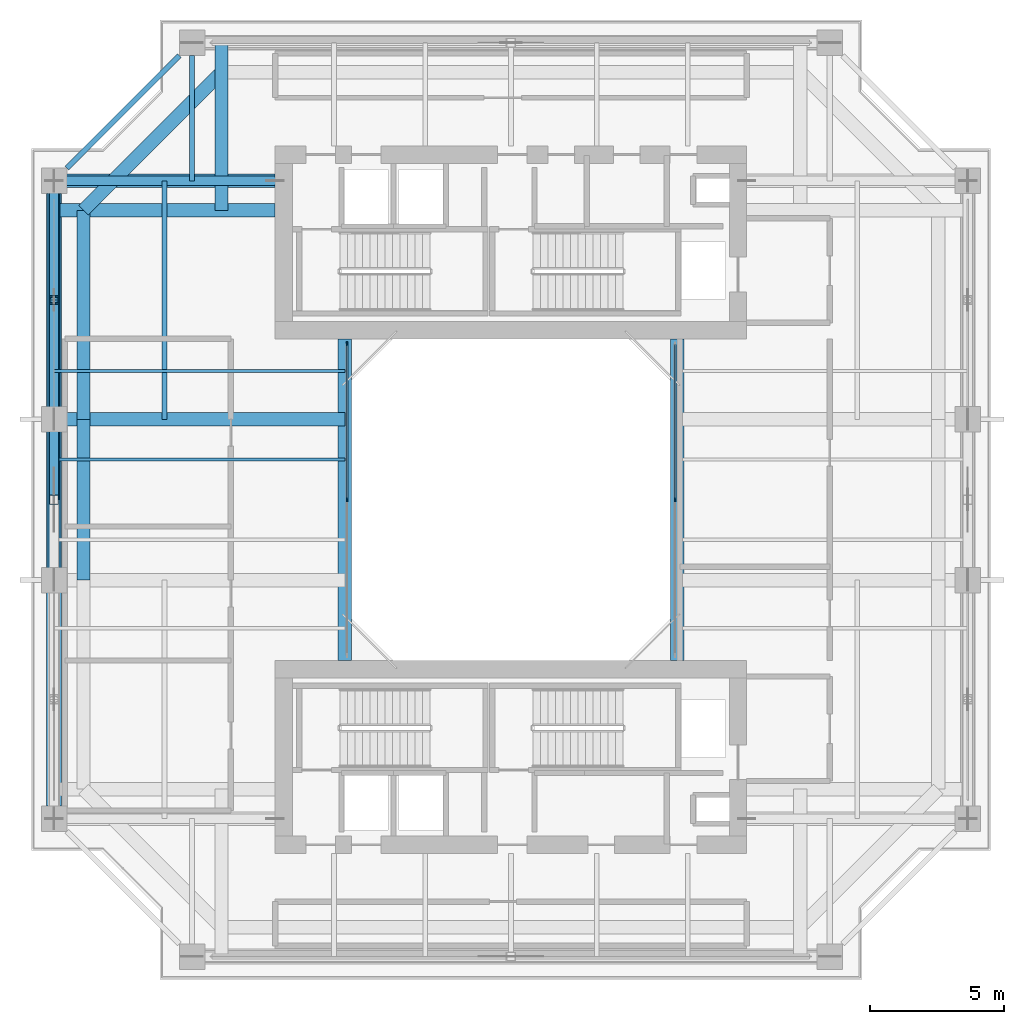
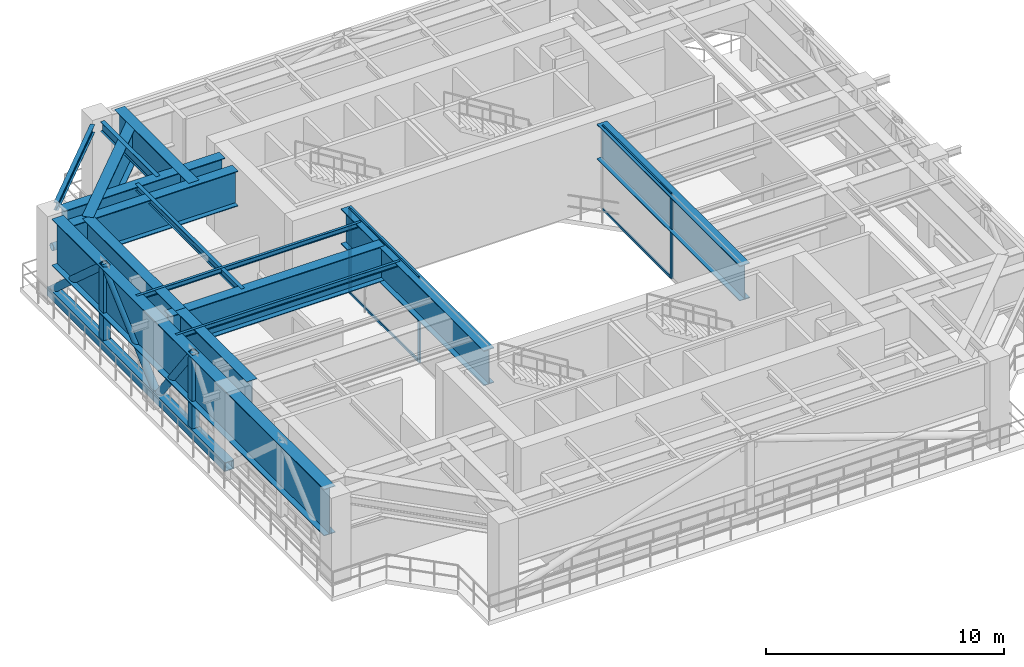
# One storey, part 3 of 11: 15 beams, 15 members, 2 elements without a shape of their own.
"""IFC4 building model written with IfcOpenShell, lengths in metres."""

from ifc_helpers import new_model, si_unit, direction, frame, origin, origin_2d, place, context, subcontext, project, spatial, rectangle, hollow_rectangle, hollow_circle, i_section, extrude, source, transform, mapped, material, layer, layer_set, material_profile, profile_set, type_object, element, aggregate, save


model = new_model("IFC4")

# Units and contexts
model_context = context("Model", 3, precision=1e-05, world=origin(), true_north=direction((0.0, 1.0)))
body_context = subcontext(model_context, "Body", "Model", "MODEL_VIEW")
ifc_project = project(units=[si_unit("LENGTHUNIT", "METRE"), si_unit("AREAUNIT", "SQUARE_METRE"), si_unit("VOLUMEUNIT", "CUBIC_METRE"), si_unit("PLANEANGLEUNIT", "RADIAN"), si_unit("MASSUNIT", "GRAM", prefix="KILO"), si_unit("THERMODYNAMICTEMPERATUREUNIT", "KELVIN"), si_unit("POWERUNIT", "WATT")], contexts=[model_context])

# Site, building, storey
site_placement = place(None, origin())
site = spatial("IfcSite", under=ifc_project, at=site_placement, CompositionType="ELEMENT")
building_placement = place(site_placement, origin())
building = spatial("IfcBuilding", under=site, at=building_placement, Name="Qiaomeng Ring Towers", CompositionType="ELEMENT")
storey_placement = place(building_placement, frame((0.0, 0.0, 186.0)))
storey = spatial("IfcBuildingStorey", under=building, at=storey_placement, Name="L54", CompositionType="ELEMENT", Elevation=186.0)

# Members
ifc_material_1 = material(Name="Steel Q390GJC", Category="steel")
ifc_material_profile_1 = material_profile(ifc_material_1, hollow_rectangle(XDim=0.35009765625, YDim=0.35009765625, WallThickness=0.02001953125, at=origin_2d()), Name="SHS 350x350x20")
ifc_profile_set_1 = profile_set([ifc_material_profile_1], Name="Steel Q390GJC")
member_type_1 = type_object("IfcMemberType", Name="STR-MB-POST-350", PredefinedType="POST", material=ifc_profile_set_1)
shared_shape_1 = source(origin(), body_context, "Body", "SweptSolid", [
    extrude(hollow_rectangle(XDim=0.35009765625, YDim=0.35009765625, WallThickness=0.02001953125, at=origin_2d()), origin(), (0.0, 0.0, 1.0), 4.0),
])
for number, where, z_axis, x_axis, name in (
    (1, (1.949951171875, 30.449951171875, 0.320068359375), (0.0, 0.0, 1.0), (1.0, 0.0, 0.0), "L54 Belt Truss Post W4-W3"),
    (2, (1.949951171875, 23.0, 0.320068359375), (0.0, 0.0, 1.0), (1.0, 0.0, 0.0), "L54 Belt Truss Post W3-W2"),
):
    element("IfcMember", number, at=place(storey_placement, frame(where, z_axis=z_axis, x_axis=x_axis)), inside=storey, type_object=member_type_1, Name=name, PredefinedType="POST", context=body_context, shape_type="MappedRepresentation", body=[
        mapped(shared_shape_1, transform((0.0, 0.0, 0.0), x_axis=(1.0, 0.0, 0.0), y_axis=(0.0, 1.0, 0.0), z_axis=(0.0, 0.0, 1.0), scale=1.0)),
    ])

# Beams
ifc_material_profile_2 = material_profile(ifc_material_1, i_section(OverallWidth=0.5, OverallDepth=1.800048828125, WebThickness=0.02392578125, FlangeThickness=0.035888671875, at=origin_2d()), Name="WH 1800x500x24x36")
ifc_profile_set_2 = profile_set([ifc_material_profile_2], Name="Steel Q390GJC")
beam_type_1 = type_object("IfcBeamType", Name="STR-TG-WH1800", PredefinedType="USERDEFINED", material=ifc_profile_set_2)
shared_shape_2 = source(origin(), body_context, "Body", "SweptSolid", [
    extrude(i_section(OverallWidth=0.5, OverallDepth=1.800048828125, WebThickness=0.02392578125, FlangeThickness=0.035888671875, at=origin_2d()), origin(), (0.0, 0.0, 1.0), 12.0),
])
for number, where, z_axis, x_axis, name in (
    (3, (12.800048828125, 17.0, 3.419921875), (0.0, 1.0, 0.0), (-1.0, 0.0, 0.0), "L54 Transfer Girder STR-TG2-L54-WELL-W"),
    (4, (25.199951171875, 17.0, 3.419921875), (0.0, 1.0, 0.0), (-1.0, 0.0, 0.0), "L54 Transfer Girder STR-TG2-L54-WELL-E"),
):
    element("IfcBeam", number, at=place(storey_placement, frame(where, z_axis=z_axis, x_axis=x_axis)), inside=storey, type_object=beam_type_1, Name=name, ObjectType="TRANSFER GIRDER", PredefinedType="USERDEFINED", context=body_context, shape_type="MappedRepresentation", body=[
        mapped(shared_shape_2, transform((0.0, 0.0, 0.0), x_axis=(1.0, 0.0, 0.0), y_axis=(0.0, 1.0, 0.0), z_axis=(0.0, 0.0, 1.0), scale=1.0)),
    ])
shared_shape_3 = source(origin(), body_context, "Body", "SweptSolid", [
    extrude(i_section(OverallWidth=0.5, OverallDepth=1.800048828125, WebThickness=0.02392578125, FlangeThickness=0.035888671875, at=origin_2d()), origin(), (0.0, 0.0, 1.0), 6.0),
])
beam_1_placement = place(storey_placement, frame((3.050048828125, 26.0, 3.419921875), z_axis=(0.0, -1.0, 0.0), x_axis=(1.0, 0.0, 0.0)))
element("IfcBeam", 5, at=beam_1_placement, inside=storey, type_object=beam_type_1, Name="L54 Transfer Girder STR-TG3-L54-W3-W2", ObjectType="TRANSFER GIRDER", PredefinedType="USERDEFINED", context=body_context, shape_type="MappedRepresentation", body=[
    mapped(shared_shape_3, transform((0.0, 0.0, 0.0), x_axis=(1.0, 0.0, 0.0), y_axis=(0.0, 1.0, 0.0), z_axis=(0.0, 0.0, 1.0), scale=1.0)),
])
ifc_material_2 = material(Name="Steel Q355B", Category="steel")
ifc_material_profile_3 = material_profile(ifc_material_2, i_section(OverallWidth=0.125, OverallDepth=0.25, WebThickness=0.006103515625, FlangeThickness=0.009033203125, FilletRadius=0.011962890625, at=origin_2d()), Name="HN 250x125x6x9")
ifc_profile_set_3 = profile_set([ifc_material_profile_3], Name="Steel Q355B")
beam_type_2 = type_object("IfcBeamType", Name="STR-BM-HN250", PredefinedType="JOIST", material=ifc_profile_set_3)
shared_shape_4 = source(origin(), body_context, "Body", "SweptSolid", [
    extrude(i_section(OverallWidth=0.125, OverallDepth=0.25, WebThickness=0.006103515625, FlangeThickness=0.009033203125, FilletRadius=0.011962890625, at=origin_2d()), origin(), (0.0, 0.0, 1.0), 10.85009765625),
])
for number, where, z_axis, x_axis, name in (
    (6, (1.949951171875, 24.5, 4.195068359375), (1.0, 0.0, 0.0), (0.0, 1.0, 0.0), "L54 beam STR-JST-L54-T1W-3"),
    (7, (1.949951171875, 27.800048828125, 4.195068359375), (1.0, 0.0, 0.0), (0.0, 1.0, 0.0), "L54 beam STR-JST-L54-T1W-4"),
):
    element("IfcBeam", number, at=place(storey_placement, frame(where, z_axis=z_axis, x_axis=x_axis)), inside=storey, type_object=beam_type_2, Name=name, PredefinedType="JOIST", context=body_context, shape_type="MappedRepresentation", body=[
        mapped(shared_shape_4, transform((0.0, 0.0, 0.0), x_axis=(1.0, 0.0, 0.0), y_axis=(0.0, 1.0, 0.0), z_axis=(0.0, 0.0, 1.0), scale=1.0)),
    ])
ifc_material_profile_4 = material_profile(ifc_material_2, i_section(OverallWidth=0.175048828125, OverallDepth=0.35009765625, WebThickness=0.007080078125, FlangeThickness=0.010986328125, FilletRadius=0.013916015625, at=origin_2d()), Name="HN 350x175x7x11")
ifc_profile_set_4 = profile_set([ifc_material_profile_4], Name="Steel Q355B")
beam_type_3 = type_object("IfcBeamType", Name="STR-BM-HN350", PredefinedType="JOIST", material=ifc_profile_set_4)
shared_shape_5 = source(origin(), body_context, "Body", "SweptSolid", [
    extrude(i_section(OverallWidth=0.175048828125, OverallDepth=0.35009765625, WebThickness=0.007080078125, FlangeThickness=0.010986328125, FilletRadius=0.013916015625, at=origin_2d()), origin(), (0.0, 0.0, 1.0), 8.89990234375),
])
beam_2_placement = place(storey_placement, frame((6.074951171875, 26.0, 4.14501953125), z_axis=(0.0, 1.0, 0.0), x_axis=(-1.0, 0.0, 0.0)))
element("IfcBeam", 8, at=beam_2_placement, inside=storey, type_object=beam_type_3, Name="L54 beam STR-JST-L54-T1C-WN", PredefinedType="JOIST", context=body_context, shape_type="MappedRepresentation", body=[
    mapped(shared_shape_5, transform((0.0, 0.0, 0.0), x_axis=(1.0, 0.0, 0.0), y_axis=(0.0, 1.0, 0.0), z_axis=(0.0, 0.0, 1.0), scale=1.0)),
])

# Members
ifc_material_profile_5 = material_profile(ifc_material_1, hollow_circle(Radius=0.177978515625, WallThickness=0.02001953125, at=origin_2d()), Name="CHS 356x20")
ifc_profile_set_5 = profile_set([ifc_material_profile_5], Name="Steel Q390GJC")
member_type_2 = type_object("IfcMemberType", Name="STR-MB-BR-356", PredefinedType="BRACE", material=ifc_profile_set_5)
shared_shape_6 = source(origin(), body_context, "Body", "SweptSolid", [
    extrude(hollow_circle(Radius=0.177978515625, WallThickness=0.02001953125, at=origin_2d()), origin(), (0.0, 0.0, 1.0), 5.97021484375),
])
for number, where, z_axis, x_axis, name in (
    (9, (1.949951171875, 34.89990234375, 0.320068359375), (0.0, -0.745370712537, 0.666650208799), (1.0, 0.0, 0.0), "L54 Belt Truss Diagonal W4-M"),
    (10, (1.949951171875, 26.0, 0.320068359375), (0.0, 0.745370712537, 0.666650208799), (-1.0, 0.0, 0.0), "L54 Belt Truss Diagonal W3-M"),
):
    element("IfcMember", number, at=place(storey_placement, frame(where, z_axis=z_axis, x_axis=x_axis)), inside=storey, type_object=member_type_2, Name=name, PredefinedType="BRACE", context=body_context, shape_type="MappedRepresentation", body=[
        mapped(shared_shape_6, transform((0.0, 0.0, 0.0), x_axis=(1.0, 0.0, 0.0), y_axis=(0.0, 1.0, 0.0), z_axis=(0.0, 0.0, 1.0), scale=1.0)),
    ])
shared_shape_7 = source(origin(), body_context, "Body", "SweptSolid", [
    extrude(hollow_circle(Radius=0.177978515625, WallThickness=0.02001953125, at=origin_2d()), origin(), (0.0, 0.0, 1.0), 4.98388671875),
])
member_1_placement = place(storey_placement, frame((1.949951171875, 26.0, 0.320068359375), z_axis=(0.0, -0.601926302674, 0.798551642757), x_axis=(1.0, 0.0, 0.0)))
element("IfcMember", 11, at=member_1_placement, inside=storey, type_object=member_type_2, Name="L54 Belt Truss Diagonal W3-M", PredefinedType="BRACE", context=body_context, shape_type="MappedRepresentation", body=[
    mapped(shared_shape_7, transform((0.0, 0.0, 0.0), x_axis=(1.0, 0.0, 0.0), y_axis=(0.0, 1.0, 0.0), z_axis=(0.0, 0.0, 1.0), scale=1.0)),
])

# Beams
ifc_material_profile_6 = material_profile(ifc_material_2, i_section(OverallWidth=0.199951171875, OverallDepth=0.39990234375, WebThickness=0.008056640625, FlangeThickness=0.012939453125, FilletRadius=0.01611328125, at=origin_2d()), Name="HN 400x200x8x13")
ifc_profile_set_6 = profile_set([ifc_material_profile_6], Name="Steel Q355B")
beam_type_4 = type_object("IfcBeamType", Name="STR-BM-HN400", PredefinedType="SPANDREL", material=ifc_profile_set_6)
shared_shape_8 = source(origin(), body_context, "Body", "SweptSolid", [
    extrude(i_section(OverallWidth=0.199951171875, OverallDepth=0.39990234375, WebThickness=0.008056640625, FlangeThickness=0.012939453125, FilletRadius=0.01611328125, at=origin_2d()), origin(), (0.0, 0.0, 1.0), 5.941650390625),
])
beam_3_placement = place(storey_placement, frame((6.625732421875, 39.57568359375, 4.1201171875), z_axis=(-0.707106781187, -0.707106781187, 0.0), x_axis=(0.707106781187, -0.707106781187, 0.0)))
element("IfcBeam", 12, at=beam_3_placement, inside=storey, type_object=beam_type_4, Name="L54 beam STR-SP-L54-T1-N1-W4", PredefinedType="SPANDREL", context=body_context, shape_type="MappedRepresentation", body=[
    mapped(shared_shape_8, transform((0.0, 0.0, 0.0), x_axis=(1.0, 0.0, 0.0), y_axis=(0.0, 1.0, 0.0), z_axis=(0.0, 0.0, 1.0), scale=1.0)),
])
ifc_material_profile_7 = material_profile(ifc_material_2, i_section(OverallWidth=0.199951171875, OverallDepth=0.5, WebThickness=0.010009765625, FlangeThickness=0.01611328125, FilletRadius=0.02001953125, at=origin_2d()), Name="HN 500x200x10x16")
ifc_profile_set_7 = profile_set([ifc_material_profile_7], Name="Steel Q355B")
beam_type_5 = type_object("IfcBeamType", Name="STR-BM-HN500", PredefinedType="BEAM", material=ifc_profile_set_7)
shared_shape_9 = source(origin(), body_context, "Body", "SweptSolid", [
    extrude(i_section(OverallWidth=0.199951171875, OverallDepth=0.5, WebThickness=0.010009765625, FlangeThickness=0.01611328125, FilletRadius=0.02001953125, at=origin_2d()), origin(), (0.0, 0.0, 1.0), 4.676025390625),
])
beam_4_placement = place(storey_placement, frame((7.10009765625, 39.575927734375, 4.070068359375), z_axis=(0.0, -1.0, 0.0), x_axis=(1.0, 0.0, 0.0)))
element("IfcBeam", 13, at=beam_4_placement, inside=storey, type_object=beam_type_5, Name="L54 beam STR-BM-L54-T1-RAD-N1", PredefinedType="BEAM", context=body_context, shape_type="MappedRepresentation", body=[
    mapped(shared_shape_9, transform((0.0, 0.0, 0.0), x_axis=(1.0, 0.0, 0.0), y_axis=(0.0, 1.0, 0.0), z_axis=(0.0, 0.0, 1.0), scale=1.0)),
])
ifc_material_profile_8 = material_profile(ifc_material_1, i_section(OverallWidth=0.550048828125, OverallDepth=2.39990234375, WebThickness=0.02587890625, FlangeThickness=0.035888671875, at=origin_2d()), Name="WH 2400x550x26x36")
ifc_profile_set_8 = profile_set([ifc_material_profile_8], Name="Steel Q390GJC")
beam_type_6 = type_object("IfcBeamType", Name="STR-TG-WH2400", PredefinedType="USERDEFINED", material=ifc_profile_set_8)
shared_shape_10 = source(origin(), body_context, "Body", "SweptSolid", [
    extrude(i_section(OverallWidth=0.550048828125, OverallDepth=2.39990234375, WebThickness=0.02587890625, FlangeThickness=0.035888671875, at=origin_2d()), origin(), (0.0, 0.0, 1.0), 22.85205078125),
])
beam_5_placement = place(storey_placement, frame((1.949951171875, 11.573974609375, 3.1201171875), z_axis=(0.0, 1.0, 0.0), x_axis=(-1.0, 0.0, 0.0)))
element("IfcBeam", 14, at=beam_5_placement, inside=storey, type_object=beam_type_6, Name="L54 Transfer Girder STR-TG2-L54-OUT-W", ObjectType="TRANSFER GIRDER", PredefinedType="USERDEFINED", context=body_context, shape_type="MappedRepresentation", body=[
    mapped(shared_shape_10, transform((0.0, 0.0, 0.0), x_axis=(1.0, 0.0, 0.0), y_axis=(0.0, 1.0, 0.0), z_axis=(0.0, 0.0, 1.0), scale=1.0)),
])
shared_shape_11 = source(origin(), body_context, "Body", "SweptSolid", [
    extrude(i_section(OverallWidth=0.5, OverallDepth=1.800048828125, WebThickness=0.02392578125, FlangeThickness=0.035888671875, at=origin_2d()), origin(), (0.0, 0.0, 1.0), 7.77587890625),
])
beam_6_placement = place(storey_placement, frame((2.424072265625, 34.89990234375, 3.419921875), z_axis=(1.0, 0.0, 0.0), x_axis=(0.0, 1.0, 0.0)))
element("IfcBeam", 15, at=beam_6_placement, inside=storey, type_object=beam_type_1, Name="L54 Transfer Girder STR-TG2-L54-W4-CUR", ObjectType="TRANSFER GIRDER", PredefinedType="USERDEFINED", context=body_context, shape_type="MappedRepresentation", body=[
    mapped(shared_shape_11, transform((0.0, 0.0, 0.0), x_axis=(1.0, 0.0, 0.0), y_axis=(0.0, 1.0, 0.0), z_axis=(0.0, 0.0, 1.0), scale=1.0)),
])
shared_shape_12 = source(origin(), body_context, "Body", "SweptSolid", [
    extrude(i_section(OverallWidth=0.5, OverallDepth=1.800048828125, WebThickness=0.02392578125, FlangeThickness=0.035888671875, at=origin_2d()), origin(), (0.0, 0.0, 1.0), 8.25),
])
beam_7_placement = place(storey_placement, frame((1.949951171875, 33.800048828125, 3.419921875), z_axis=(1.0, 0.0, 0.0), x_axis=(0.0, 1.0, 0.0)))
element("IfcBeam", 16, at=beam_7_placement, inside=storey, type_object=beam_type_1, Name="L54 Transfer Girder STR-TG2-L54-W4-NXT", ObjectType="TRANSFER GIRDER", PredefinedType="USERDEFINED", context=body_context, shape_type="MappedRepresentation", body=[
    mapped(shared_shape_12, transform((0.0, 0.0, 0.0), x_axis=(1.0, 0.0, 0.0), y_axis=(0.0, 1.0, 0.0), z_axis=(0.0, 0.0, 1.0), scale=1.0)),
])
shared_shape_13 = source(origin(), body_context, "Body", "SweptSolid", [
    extrude(i_section(OverallWidth=0.5, OverallDepth=1.800048828125, WebThickness=0.02392578125, FlangeThickness=0.035888671875, at=origin_2d()), origin(), (0.0, 0.0, 1.0), 10.3759765625),
])
beam_8_placement = place(storey_placement, frame((2.424072265625, 26.0, 3.419921875), z_axis=(1.0, 0.0, 0.0), x_axis=(0.0, 1.0, 0.0)))
element("IfcBeam", 17, at=beam_8_placement, inside=storey, type_object=beam_type_1, Name="L54 Transfer Girder STR-TG2-L54-W3", ObjectType="TRANSFER GIRDER", PredefinedType="USERDEFINED", context=body_context, shape_type="MappedRepresentation", body=[
    mapped(shared_shape_13, transform((0.0, 0.0, 0.0), x_axis=(1.0, 0.0, 0.0), y_axis=(0.0, 1.0, 0.0), z_axis=(0.0, 0.0, 1.0), scale=1.0)),
])
shared_shape_14 = source(origin(), body_context, "Body", "SweptSolid", [
    extrude(i_section(OverallWidth=0.5, OverallDepth=1.800048828125, WebThickness=0.02392578125, FlangeThickness=0.035888671875, at=origin_2d()), origin(), (0.0, 0.0, 1.0), 6.25),
])
beam_9_placement = place(storey_placement, frame((8.199951171875, 40.050048828125, 3.419921875), z_axis=(0.0, -1.0, 0.0), x_axis=(1.0, 0.0, 0.0)))
element("IfcBeam", 18, at=beam_9_placement, inside=storey, type_object=beam_type_1, Name="L54 Transfer Girder STR-TG2-L54-N1", ObjectType="TRANSFER GIRDER", PredefinedType="USERDEFINED", context=body_context, shape_type="MappedRepresentation", body=[
    mapped(shared_shape_14, transform((0.0, 0.0, 0.0), x_axis=(1.0, 0.0, 0.0), y_axis=(0.0, 1.0, 0.0), z_axis=(0.0, 0.0, 1.0), scale=1.0)),
])
shared_shape_15 = source(origin(), body_context, "Body", "SweptSolid", [
    extrude(i_section(OverallWidth=0.5, OverallDepth=1.800048828125, WebThickness=0.02392578125, FlangeThickness=0.035888671875, at=origin_2d()), origin(), (0.0, 0.0, 1.0), 7.282958984375),
])
beam_10_placement = place(storey_placement, frame((8.199951171875, 38.949951171875, 3.419921875), z_axis=(-0.707106781187, -0.707106781187, 0.0), x_axis=(0.707106781187, -0.707106781187, 0.0)))
element("IfcBeam", 19, at=beam_10_placement, inside=storey, type_object=beam_type_1, Name="L54 Transfer Girder STR-TG3-L54-N1-W4", ObjectType="TRANSFER GIRDER", PredefinedType="USERDEFINED", context=body_context, shape_type="MappedRepresentation", body=[
    mapped(shared_shape_15, transform((0.0, 0.0, 0.0), x_axis=(1.0, 0.0, 0.0), y_axis=(0.0, 1.0, 0.0), z_axis=(0.0, 0.0, 1.0), scale=1.0)),
])
shared_shape_16 = source(origin(), body_context, "Body", "SweptSolid", [
    extrude(i_section(OverallWidth=0.5, OverallDepth=1.800048828125, WebThickness=0.02392578125, FlangeThickness=0.035888671875, at=origin_2d()), origin(), (0.0, 0.0, 1.0), 7.800048828125),
])
beam_11_placement = place(storey_placement, frame((3.050048828125, 33.800048828125, 3.419921875), z_axis=(0.0, -1.0, 0.0), x_axis=(1.0, 0.0, 0.0)))
element("IfcBeam", 20, at=beam_11_placement, inside=storey, type_object=beam_type_1, Name="L54 Transfer Girder STR-TG3-L54-W4-W3", ObjectType="TRANSFER GIRDER", PredefinedType="USERDEFINED", context=body_context, shape_type="MappedRepresentation", body=[
    mapped(shared_shape_16, transform((0.0, 0.0, 0.0), x_axis=(1.0, 0.0, 0.0), y_axis=(0.0, 1.0, 0.0), z_axis=(0.0, 0.0, 1.0), scale=1.0)),
])

# Members
ifc_material_profile_9 = material_profile(ifc_material_1, hollow_rectangle(XDim=0.449951171875, YDim=0.449951171875, WallThickness=0.028076171875, at=origin_2d()), Name="SHS 450x450x28")
ifc_profile_set_9 = profile_set([ifc_material_profile_9], Name="Steel Q390GJC")
member_type_3 = type_object("IfcMemberType", Name="STR-MB-CHORD-450", PredefinedType="CHORD", material=ifc_profile_set_9)
shared_shape_17 = source(origin(), body_context, "Body", "SweptSolid", [
    extrude(hollow_rectangle(XDim=0.449951171875, YDim=0.449951171875, WallThickness=0.028076171875, at=origin_2d()), origin(), (0.0, 0.0, 1.0), 8.89990234375),
])
member_2_placement = place(storey_placement, frame((1.949951171875, 34.89990234375, 0.320068359375), z_axis=(0.0, -1.0, 0.0), x_axis=(1.0, 0.0, 0.0)))
element("IfcMember", 21, at=member_2_placement, inside=storey, type_object=member_type_3, Name="L54 Belt Truss Bottom Chord W4-W3", PredefinedType="CHORD", context=body_context, shape_type="MappedRepresentation", body=[
    mapped(shared_shape_17, transform((0.0, 0.0, 0.0), x_axis=(1.0, 0.0, 0.0), y_axis=(0.0, 1.0, 0.0), z_axis=(0.0, 0.0, 1.0), scale=1.0)),
])
shared_shape_18 = source(origin(), body_context, "Body", "SweptSolid", [
    extrude(hollow_rectangle(XDim=0.449951171875, YDim=0.449951171875, WallThickness=0.028076171875, at=origin_2d()), origin(), (0.0, 0.0, 1.0), 6.0),
])
member_3_placement = place(storey_placement, frame((1.949951171875, 26.0, 0.320068359375), z_axis=(0.0, -1.0, 0.0), x_axis=(1.0, 0.0, 0.0)))
element("IfcMember", 22, at=member_3_placement, inside=storey, type_object=member_type_3, Name="L54 Belt Truss Bottom Chord W3-W2", PredefinedType="CHORD", context=body_context, shape_type="MappedRepresentation", body=[
    mapped(shared_shape_18, transform((0.0, 0.0, 0.0), x_axis=(1.0, 0.0, 0.0), y_axis=(0.0, 1.0, 0.0), z_axis=(0.0, 0.0, 1.0), scale=1.0)),
])
shared_shape_19 = source(origin(), body_context, "Body", "SweptSolid", [
    extrude(hollow_circle(Radius=0.177978515625, WallThickness=0.02001953125, at=origin_2d()), origin(), (0.0, 0.0, 1.0), 8.25732421875),
])
member_4_placement = place(storey_placement, frame((10.199951171875, 34.89990234375, 2.14990234375), z_axis=(-0.999100803863, 0.0, 0.042397921187), x_axis=(0.0, -1.0, 0.0)))
element("IfcMember", 23, at=member_4_placement, inside=storey, type_object=member_type_2, Name="L54 Core Outrigger Truss Diagonal W4", PredefinedType="BRACE", context=body_context, shape_type="MappedRepresentation", body=[
    mapped(shared_shape_19, transform((0.0, 0.0, 0.0), x_axis=(1.0, 0.0, 0.0), y_axis=(0.0, 1.0, 0.0), z_axis=(0.0, 0.0, 1.0), scale=1.0)),
])

# Curtain wall, members
ifc_material_3 = material(Name="Fluorocarbon dark-grey aluminium", Category="aluminium")
ifc_layer = layer(ifc_material_3, 0.139892578125, Name="Fluorocarbon dark-grey aluminium")
ifc_layer_set = layer_set([ifc_layer], Name="Fluorocarbon dark-grey aluminium")
curtain_wall_type = type_object("IfcCurtainWallType", Name="ARC-CW-4", PredefinedType="NOTDEFINED", material=ifc_layer_set)
curtain_wall_1_placement = place(storey_placement, origin())
curtain_wall_1 = element("IfcCurtainWall", 24, at=curtain_wall_1_placement, inside=storey, type_object=curtain_wall_type, Name="L54 Curtain Wall CW4", PredefinedType="NOTDEFINED")
ifc_material_profile_10 = material_profile(ifc_material_3, rectangle(XDim=0.06494140625, YDim=0.1298828125, at=origin_2d()), Name="ALU TRAN 65x130")
ifc_profile_set_10 = profile_set([ifc_material_profile_10], Name="Fluorocarbon dark-grey aluminium")
member_type_4 = type_object("IfcMemberType", Name="ARC-CWT-120", PredefinedType="USERDEFINED", material=ifc_profile_set_10)
shared_shape_20 = source(origin(), body_context, "Body", "SweptSolid", [
    extrude(rectangle(XDim=0.06494140625, YDim=0.1298828125, at=origin_2d()), origin(), (0.0, 0.0, 1.0), 5.75244140625),
])
member_5_placement = place(storey_placement, frame((12.8798828125, 23.032470703125, 0.032470703125), z_axis=(0.0, 1.0, 0.0), x_axis=(-1.0, 0.0, 0.0)))
member_5 = element("IfcMember", 25, at=member_5_placement, type_object=member_type_4, Name="CW4 transom 2.1", ObjectType="TRANSOM", PredefinedType="USERDEFINED", context=body_context, shape_type="MappedRepresentation", body=[
    mapped(shared_shape_20, transform((0.0, 0.0, 0.0), x_axis=(1.0, 0.0, 0.0), y_axis=(0.0, 1.0, 0.0), z_axis=(0.0, 0.0, 1.0), scale=1.0)),
])
member_6_placement = place(storey_placement, frame((12.8798828125, 23.032470703125, 4.28759765625), z_axis=(0.0, 1.0, 0.0), x_axis=(-1.0, 0.0, 0.0)))
member_6 = element("IfcMember", 26, at=member_6_placement, type_object=member_type_4, Name="CW4 transom 2.2", ObjectType="TRANSOM", PredefinedType="USERDEFINED", context=body_context, shape_type="MappedRepresentation", body=[
    mapped(shared_shape_20, transform((0.0, 0.0, 0.0), x_axis=(1.0, 0.0, 0.0), y_axis=(0.0, 1.0, 0.0), z_axis=(0.0, 0.0, 1.0), scale=1.0)),
])

curtain_wall_2_placement = place(storey_placement, origin())
curtain_wall_2 = element("IfcCurtainWall", 27, at=curtain_wall_2_placement, inside=storey, type_object=curtain_wall_type, Name="L54 Curtain Wall CW4", PredefinedType="NOTDEFINED")
member_7_placement = place(storey_placement, frame((25.1201171875, 23.032470703125, 0.032470703125), z_axis=(0.0, 1.0, 0.0), x_axis=(-1.0, 0.0, 0.0)))
member_7 = element("IfcMember", 28, at=member_7_placement, type_object=member_type_4, Name="CW4 transom 2.1", ObjectType="TRANSOM", PredefinedType="USERDEFINED", context=body_context, shape_type="MappedRepresentation", body=[
    mapped(shared_shape_20, transform((0.0, 0.0, 0.0), x_axis=(1.0, 0.0, 0.0), y_axis=(0.0, 1.0, 0.0), z_axis=(0.0, 0.0, 1.0), scale=1.0)),
])
member_8_placement = place(storey_placement, frame((25.1201171875, 23.032470703125, 4.28759765625), z_axis=(0.0, 1.0, 0.0), x_axis=(-1.0, 0.0, 0.0)))
member_8 = element("IfcMember", 29, at=member_8_placement, type_object=member_type_4, Name="CW4 transom 2.2", ObjectType="TRANSOM", PredefinedType="USERDEFINED", context=body_context, shape_type="MappedRepresentation", body=[
    mapped(shared_shape_20, transform((0.0, 0.0, 0.0), x_axis=(1.0, 0.0, 0.0), y_axis=(0.0, 1.0, 0.0), z_axis=(0.0, 0.0, 1.0), scale=1.0)),
])

# Member
ifc_material_profile_11 = material_profile(ifc_material_3, rectangle(XDim=0.06494140625, YDim=0.159912109375, at=origin_2d()), Name="ALU MULL 65x160")
ifc_profile_set_11 = profile_set([ifc_material_profile_11], Name="Fluorocarbon dark-grey aluminium")
member_type_5 = type_object("IfcMemberType", Name="ARC-CWM-140", PredefinedType="MULLION", material=ifc_profile_set_11)
shared_shape_21 = source(origin(), body_context, "Body", "SweptSolid", [
    extrude(rectangle(XDim=0.06494140625, YDim=0.159912109375, at=origin_2d()), origin(), (0.0, 0.0, 1.0), 4.320068359375),
])
member_9_placement = place(storey_placement, frame((12.8798828125, 23.0, 0.0), z_axis=(0.0, 0.0, 1.0), x_axis=(-1.0, 0.0, 0.0)))
member_9 = element("IfcMember", 30, at=member_9_placement, type_object=member_type_5, Name="CW4 mullion 2", PredefinedType="MULLION", context=body_context, shape_type="MappedRepresentation", body=[
    mapped(shared_shape_21, transform((0.0, 0.0, 0.0), x_axis=(1.0, 0.0, 0.0), y_axis=(0.0, 1.0, 0.0), z_axis=(0.0, 0.0, 1.0), scale=1.0)),
])

member_10_placement = place(storey_placement, frame((12.8798828125, 28.8173828125, 0.0), z_axis=(0.0, 0.0, 1.0), x_axis=(-1.0, 0.0, 0.0)))
member_10 = element("IfcMember", 31, at=member_10_placement, type_object=member_type_5, Name="CW4 mullion 3", PredefinedType="MULLION", context=body_context, shape_type="MappedRepresentation", body=[
    mapped(shared_shape_21, transform((0.0, 0.0, 0.0), x_axis=(1.0, 0.0, 0.0), y_axis=(0.0, 1.0, 0.0), z_axis=(0.0, 0.0, 1.0), scale=1.0)),
])

aggregate(curtain_wall_1, [member_9, member_10, member_5, member_6])

member_11_placement = place(storey_placement, frame((25.1201171875, 23.0, 0.0), z_axis=(0.0, 0.0, 1.0), x_axis=(-1.0, 0.0, 0.0)))
member_11 = element("IfcMember", 32, at=member_11_placement, type_object=member_type_5, Name="CW4 mullion 2", PredefinedType="MULLION", context=body_context, shape_type="MappedRepresentation", body=[
    mapped(shared_shape_21, transform((0.0, 0.0, 0.0), x_axis=(1.0, 0.0, 0.0), y_axis=(0.0, 1.0, 0.0), z_axis=(0.0, 0.0, 1.0), scale=1.0)),
])

aggregate(curtain_wall_2, [member_11, member_7, member_8])

save(model, "model.ifc")
